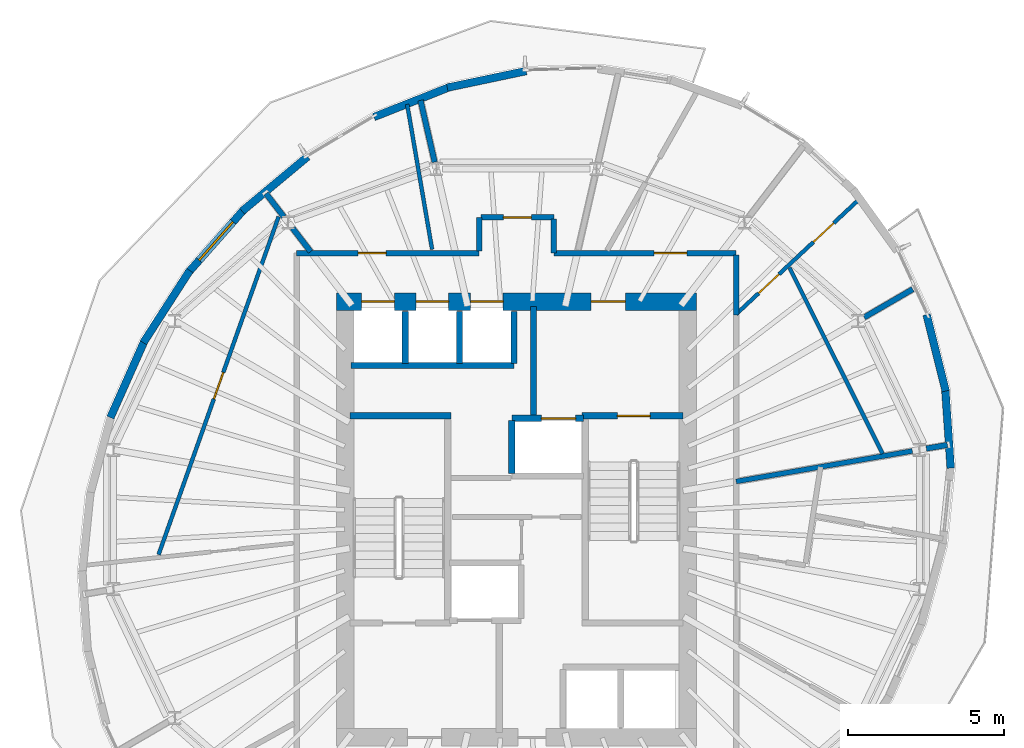
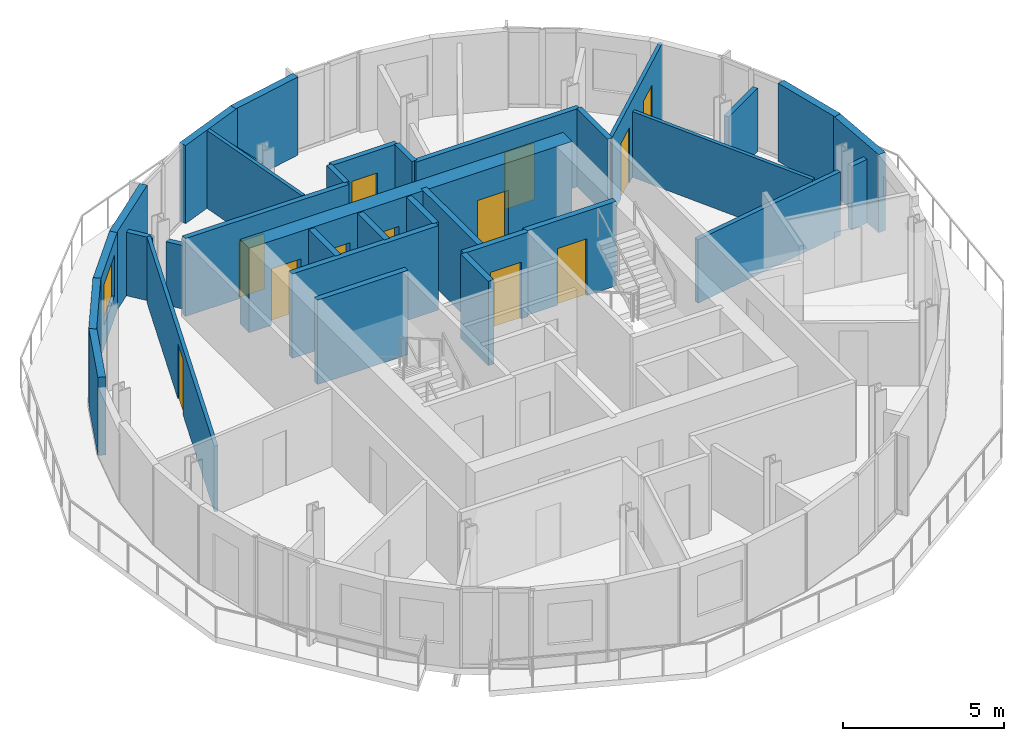
# One storey, part 6 of 11: 34 walls, 12 doors, 1 window, 13 openings.
"""IFC4 building model written with IfcOpenShell, lengths in metres."""

from ifc_helpers import new_model, si_unit, direction, frame, frame_2d, origin, place, context, subcontext, project, spatial, rectangle, extrude, material, layer, layer_set, type_object, element, fill, save


model = new_model("IFC4")

# Units and contexts
model_context = context("Model", 3, precision=1e-05, world=origin(), true_north=direction((0.0, 1.0)))
body_context = subcontext(model_context, "Body", "Model", "MODEL_VIEW")
ifc_project = project(units=[si_unit("LENGTHUNIT", "METRE"), si_unit("AREAUNIT", "SQUARE_METRE"), si_unit("VOLUMEUNIT", "CUBIC_METRE"), si_unit("PLANEANGLEUNIT", "RADIAN"), si_unit("MASSUNIT", "GRAM", prefix="KILO")], contexts=[model_context])

# Site, building, storey
site_placement = place(None, origin())
site = spatial("IfcSite", under=ifc_project, at=site_placement, CompositionType="ELEMENT")
building_placement = place(site_placement, origin())
building = spatial("IfcBuilding", under=site, at=building_placement, Name="Veldorim Arch Residences", CompositionType="ELEMENT")
storey_placement = place(building_placement, frame((0.0, 0.0, 217.43994140625)))
storey = spatial("IfcBuildingStorey", under=building, at=storey_placement, Name="L65", CompositionType="ELEMENT", Elevation=217.43994140625)

# Wall, openings, doors
ifc_material_1 = material(Name="Acoustic Gypsum Board", Category="gypsum")
ifc_layer_1 = layer(ifc_material_1, 0.125, Name="Acoustic Stud Room Partition Wall 125")
ifc_layer_set_1 = layer_set([ifc_layer_1], Name="Acoustic Gypsum Board")
wall_type_1 = type_object("IfcWallType", Name="Acoustic Stud Room Partition Wall 125", PredefinedType="PARTITIONING", material=ifc_layer_set_1)
wall_1_placement = place(storey_placement, frame((43.019775390625, 34.29443359375, 0.0), z_axis=(0.0, 0.0, 1.0), x_axis=(-0.730757039427, -0.682637641307, 0.0)))
wall_1 = element("IfcWall", 1, at=wall_1_placement, inside=storey, type_object=wall_type_1, Name="L65 interior wall WL-RES-L65-023", PredefinedType="PARTITIONING", context=body_context, shape_type="SweptSolid", body=[
    extrude(rectangle(XDim=5.418701171875, YDim=0.125, at=frame_2d((2.70947265625, 0.0))), origin(), (0.0, 0.0, 1.0), 2.955078125),
])
opening_1_placement = place(wall_1_placement, frame((1.1220703125, 0.0, 0.0)))
opening_1 = element("IfcOpeningElement", 2, at=opening_1_placement, cuts=wall_1, Name="Opening DR-INT", PredefinedType="OPENING", context=body_context, shape_type="SweptSolid", body=[
    extrude(rectangle(XDim=0.89990234375, YDim=2.10009765625, at=frame_2d((0.449951171875, 1.050048828125))), frame((0.0, 0.072509765625, 0.0), z_axis=(0.0, -1.0, 0.0), x_axis=(1.0, 0.0, 0.0)), (0.0, 0.0, 1.0), 0.14501953125),
])
opening_2_placement = place(wall_1_placement, frame((3.531005859375, 0.0, 0.0)))
opening_2 = element("IfcOpeningElement", 3, at=opening_2_placement, cuts=wall_1, Name="Opening DR-INT", PredefinedType="OPENING", context=body_context, shape_type="SweptSolid", body=[
    extrude(rectangle(XDim=0.89990234375, YDim=2.10009765625, at=frame_2d((0.449951171875, 1.050048828125))), frame((0.0, 0.072509765625, 0.0), z_axis=(0.0, -1.0, 0.0), x_axis=(1.0, 0.0, 0.0)), (0.0, 0.0, 1.0), 0.14501953125),
])
ifc_material_2 = material(Name="Engineered Timber", Category="wood")
door_type_1 = type_object("IfcDoorType", Name="Apartment Internal Room Timber Door 900x2100", OperationType="SINGLE_SWING_LEFT", PredefinedType="DOOR", material=ifc_material_2)
door_1_placement = place(opening_1_placement, origin())
door_1 = element("IfcDoor", 4, at=door_1_placement, inside=storey, type_object=door_type_1, Name="L65 interior door DR-RES-L65-009", OperationType="SINGLE_SWING_LEFT", OverallHeight=2.10009765625, OverallWidth=0.89990234375, PredefinedType="DOOR", context=body_context, shape_type="SweptSolid", body=[
    extrude(rectangle(XDim=0.89990234375, YDim=2.10009765625, at=frame_2d((0.449951171875, 1.050048828125))), frame((0.0, 0.02490234375, 0.0), z_axis=(0.0, -1.0, 0.0), x_axis=(1.0, 0.0, 0.0)), (0.0, 0.0, 1.0), 0.050048828125),
])
fill(opening_1, door_1)
door_2_placement = place(opening_2_placement, origin())
door_2 = element("IfcDoor", 5, at=door_2_placement, inside=storey, type_object=door_type_1, Name="L65 interior door DR-RES-L65-010", OperationType="SINGLE_SWING_RIGHT", OverallHeight=2.10009765625, OverallWidth=0.89990234375, PredefinedType="DOOR", context=body_context, shape_type="SweptSolid", body=[
    extrude(rectangle(XDim=0.89990234375, YDim=2.10009765625, at=frame_2d((0.449951171875, 1.050048828125))), frame((0.0, 0.02490234375, 0.0), z_axis=(0.0, -1.0, 0.0), x_axis=(1.0, 0.0, 0.0)), (0.0, 0.0, 1.0), 0.050048828125),
])
fill(opening_2, door_2)

# Walls
wall_2_placement = place(storey_placement, frame((43.76806640625, 26.113525390625, 0.0), z_axis=(0.0, 0.0, 1.0), x_axis=(-0.447958394428, 0.894054403748, 0.0)))
element("IfcWall", 6, at=wall_2_placement, inside=storey, type_object=wall_type_1, Name="L65 interior wall WL-RES-L65-025", PredefinedType="PARTITIONING", context=body_context, shape_type="SweptSolid", body=[
    extrude(rectangle(XDim=6.685546875, YDim=0.125, at=frame_2d((3.3427734375, 0.0))), origin(), (0.0, 0.0, 1.0), 2.488037109375),
])
wall_3_placement = place(storey_placement, frame((28.489501953125, 37.340576171875, 0.0), z_axis=(0.0, 0.0, 1.0), x_axis=(0.169376334169, -0.98555144839, 0.0)))
element("IfcWall", 7, at=wall_3_placement, inside=storey, type_object=wall_type_1, Name="L65 interior wall WL-RES-L65-026", PredefinedType="PARTITIONING", context=body_context, shape_type="SweptSolid", body=[
    extrude(rectangle(XDim=4.730712890625, YDim=0.125, at=frame_2d((2.365234375, 0.0))), origin(), (0.0, 0.0, 1.0), 2.955078125),
])

# Wall, opening, door
wall_4_placement = place(storey_placement, frame((20.501220703125, 22.86962890625, 0.0), z_axis=(0.0, 0.0, 1.0), x_axis=(0.334686593727, 0.942329498625, 0.0)))
wall_4 = element("IfcWall", 8, at=wall_4_placement, inside=storey, type_object=wall_type_1, Name="L65 interior wall WL-RES-L65-030", PredefinedType="PARTITIONING", context=body_context, shape_type="SweptSolid", body=[
    extrude(rectangle(XDim=11.524658203125, YDim=0.125, at=frame_2d((5.76220703125, 0.0))), origin(), (0.0, 0.0, 1.0), 2.488037109375),
])
opening_3_placement = place(wall_4_placement, frame((5.3125, 0.0, 0.0)))
opening_3 = element("IfcOpeningElement", 9, at=opening_3_placement, cuts=wall_4, Name="Opening DR-INT", PredefinedType="OPENING", context=body_context, shape_type="SweptSolid", body=[
    extrude(rectangle(XDim=0.89990234375, YDim=2.10009765625, at=frame_2d((0.449951171875, 1.050048828125))), frame((0.0, 0.072509765625, 0.0), z_axis=(0.0, -1.0, 0.0), x_axis=(1.0, 0.0, 0.0)), (0.0, 0.0, 1.0), 0.14501953125),
])
door_3_placement = place(opening_3_placement, origin())
door_3 = element("IfcDoor", 10, at=door_3_placement, inside=storey, type_object=door_type_1, Name="L65 interior door DR-RES-L65-016", OperationType="SINGLE_SWING_RIGHT", OverallHeight=2.10009765625, OverallWidth=0.89990234375, PredefinedType="DOOR", context=body_context, shape_type="SweptSolid", body=[
    extrude(rectangle(XDim=0.89990234375, YDim=2.10009765625, at=frame_2d((0.449951171875, 1.050048828125))), frame((0.0, 0.02490234375, 0.0), z_axis=(0.0, -1.0, 0.0), x_axis=(1.0, 0.0, 0.0)), (0.0, 0.0, 1.0), 0.050048828125),
])
fill(opening_3, door_3)

# Walls
ifc_material_3 = material(Name="Lightweight Masonry Block & Gypsum", Category="masonry")
ifc_layer_2 = layer(ifc_material_3, 0.179931640625, Name="Compartment & Corridor Fire-Rated Party Wall 180")
ifc_layer_set_2 = layer_set([ifc_layer_2], Name="Lightweight Masonry Block & Gypsum")
wall_type_2 = type_object("IfcWallType", Name="Compartment & Corridor Fire-Rated Party Wall 180", PredefinedType="PARTITIONING", material=ifc_layer_set_2)
wall_5_placement = place(storey_placement, frame((45.172607421875, 26.27880859375, 0.0), z_axis=(0.0, 0.0, 1.0), x_axis=(0.985357392461, 0.170501639647, 0.0)))
element("IfcWall", 11, at=wall_5_placement, inside=storey, type_object=wall_type_2, Name="L65 interior wall WL-PIER-L65-01", PredefinedType="PARTITIONING", context=body_context, shape_type="SweptSolid", body=[
    extrude(rectangle(XDim=0.687255859375, YDim=0.179931640625, at=frame_2d((0.34375, 0.0))), origin(), (0.0, 0.0, 1.0), 2.403564453125),
])
wall_6_placement = place(storey_placement, frame((43.173828125, 30.4931640625, 0.0), z_axis=(0.0, 0.0, 1.0), x_axis=(0.864637155841, 0.502396843879, 0.0)))
element("IfcWall", 12, at=wall_6_placement, inside=storey, type_object=wall_type_2, Name="L65 interior wall WL-PIER-L65-02", PredefinedType="PARTITIONING", context=body_context, shape_type="SweptSolid", body=[
    extrude(rectangle(XDim=1.802978515625, YDim=0.179931640625, at=frame_2d((0.9013671875, 0.0))), origin(), (0.0, 0.0, 1.0), 2.403564453125),
])
wall_7_placement = place(storey_placement, frame((29.37353515625, 35.483154296875, 0.0), z_axis=(0.0, 0.0, 1.0), x_axis=(-0.222932254148, 0.974833939736, 0.0)))
element("IfcWall", 13, at=wall_7_placement, inside=storey, type_object=wall_type_2, Name="L65 interior wall WL-PIER-L65-05", PredefinedType="PARTITIONING", context=body_context, shape_type="SweptSolid", body=[
    extrude(rectangle(XDim=2.035888671875, YDim=0.179931640625, at=frame_2d((1.01806640625, 0.0))), origin(), (0.0, 0.0, 1.0), 2.403564453125),
])
wall_8_placement = place(storey_placement, frame((24.526611328125, 33.727294921875, 0.0), z_axis=(0.0, 0.0, 1.0), x_axis=(-0.60903478373, 0.793143512995, 0.0)))
element("IfcWall", 14, at=wall_8_placement, inside=storey, type_object=wall_type_2, Name="L65 interior wall WL-PIER-L65-06", PredefinedType="PARTITIONING", context=body_context, shape_type="SweptSolid", body=[
    extrude(rectangle(XDim=0.94287109375, YDim=0.179931640625, at=frame_2d((0.471435546875, 0.0))), origin(), (0.0, 0.0, 1.0), 2.403564453125),
])

# Wall, opening, door
wall_9_placement = place(storey_placement, frame((33.199951171875, 32.56005859375, 0.0), z_axis=(0.0, 0.0, 1.0), x_axis=(1.0, 0.0, 0.0)))
wall_9 = element("IfcWall", 15, at=wall_9_placement, inside=storey, type_object=wall_type_2, Name="L65 interior wall WL-RES-L65-007", PredefinedType="PARTITIONING", context=body_context, shape_type="SweptSolid", body=[
    extrude(rectangle(XDim=5.860107421875, YDim=0.179931640625, at=frame_2d((2.93017578125, 0.0))), origin(), (0.0, 0.0, 1.0), 2.955078125),
])
opening_4_placement = place(wall_9_placement, frame((3.227294921875, 0.0, 0.0)))
opening_4 = element("IfcOpeningElement", 16, at=opening_4_placement, cuts=wall_9, Name="Opening DR-FLT", PredefinedType="OPENING", context=body_context, shape_type="SweptSolid", body=[
    extrude(rectangle(XDim=1.050048828125, YDim=2.14990234375, at=frame_2d((0.52490234375, 1.074951171875))), frame((0.0, 0.099853515625, 0.0), z_axis=(0.0, -1.0, 0.0), x_axis=(1.0, 0.0, 0.0)), (0.0, 0.0, 1.0), 0.199951171875),
])
ifc_material_4 = material(Name="Fire-Rated Timber", Category="wood")
door_type_2 = type_object("IfcDoorType", Name="Apartment Entrance Solid-Core Fire Door 1050x2150", OperationType="SINGLE_SWING_LEFT", PredefinedType="DOOR", material=ifc_material_4)
door_4_placement = place(opening_4_placement, origin())
door_4 = element("IfcDoor", 17, at=door_4_placement, inside=storey, type_object=door_type_2, Name="L65 interior door DR-RES-L65-007", OperationType="SINGLE_SWING_LEFT", OverallHeight=2.14990234375, OverallWidth=1.050048828125, PredefinedType="DOOR", context=body_context, shape_type="SweptSolid", body=[
    extrude(rectangle(XDim=1.050048828125, YDim=2.14990234375, at=frame_2d((0.52490234375, 1.074951171875))), frame((0.0, 0.02490234375, 0.0), z_axis=(0.0, -1.0, 0.0), x_axis=(1.0, 0.0, 0.0)), (0.0, 0.0, 1.0), 0.050048828125),
])
fill(opening_4, door_4)

# Wall
wall_10_placement = place(storey_placement, frame((39.06005859375, 32.5, 0.0), z_axis=(0.0, 0.0, 1.0), x_axis=(0.0, -1.0, 0.0)))
element("IfcWall", 18, at=wall_10_placement, inside=storey, type_object=wall_type_2, Name="L65 interior wall WL-RES-L65-008", PredefinedType="PARTITIONING", context=body_context, shape_type="SweptSolid", body=[
    extrude(rectangle(XDim=1.924560546875, YDim=0.179931640625, at=frame_2d((0.96240234375, 0.0))), origin(), (0.0, 0.0, 1.0), 2.955078125),
])

# Wall, opening, door
wall_11_placement = place(storey_placement, frame((24.93994140625, 32.56005859375, 0.0), z_axis=(0.0, 0.0, 1.0), x_axis=(1.0, 0.0, 0.0)))
wall_11 = element("IfcWall", 19, at=wall_11_placement, inside=storey, type_object=wall_type_2, Name="L65 interior wall WL-RES-L65-009", PredefinedType="PARTITIONING", context=body_context, shape_type="SweptSolid", body=[
    extrude(rectangle(XDim=5.860107421875, YDim=0.179931640625, at=frame_2d((2.93017578125, 0.0))), origin(), (0.0, 0.0, 1.0), 2.955078125),
])
opening_5_placement = place(wall_11_placement, frame((1.974609375, 0.0, 0.0)))
opening_5 = element("IfcOpeningElement", 20, at=opening_5_placement, cuts=wall_11, Name="Opening DR-SVC", PredefinedType="OPENING", context=body_context, shape_type="SweptSolid", body=[
    extrude(rectangle(XDim=0.89990234375, YDim=2.10009765625, at=frame_2d((0.449951171875, 1.050048828125))), frame((0.0, 0.099853515625, 0.0), z_axis=(0.0, -1.0, 0.0), x_axis=(1.0, 0.0, 0.0)), (0.0, 0.0, 1.0), 0.199951171875),
])
ifc_material_5 = material(Name="Fire-Rated Steel", Category="steel")
door_type_3 = type_object("IfcDoorType", Name="Riser, Shelter & Plant Room Rated Steel Door 900x2100", OperationType="SINGLE_SWING_LEFT", PredefinedType="DOOR", material=ifc_material_5)
door_5_placement = place(opening_5_placement, origin())
door_5 = element("IfcDoor", 21, at=door_5_placement, inside=storey, type_object=door_type_3, Name="L65 interior door DR-RES-L65-011", OperationType="SINGLE_SWING_LEFT", OverallHeight=2.10009765625, OverallWidth=0.89990234375, PredefinedType="DOOR", context=body_context, shape_type="SweptSolid", body=[
    extrude(rectangle(XDim=0.89990234375, YDim=2.10009765625, at=frame_2d((0.449951171875, 1.050048828125))), frame((0.0, 0.02490234375, 0.0), z_axis=(0.0, -1.0, 0.0), x_axis=(1.0, 0.0, 0.0)), (0.0, 0.0, 1.0), 0.050048828125),
])
fill(opening_5, door_5)

# Wall
wall_12_placement = place(storey_placement, frame((30.800048828125, 32.6201171875, 0.0), z_axis=(0.0, 0.0, 1.0), x_axis=(0.0, 1.0, 0.0)))
element("IfcWall", 22, at=wall_12_placement, inside=storey, type_object=wall_type_2, Name="L65 interior wall WL-RES-L65-010", PredefinedType="PARTITIONING", context=body_context, shape_type="SweptSolid", body=[
    extrude(rectangle(XDim=1.08984375, YDim=0.179931640625, at=frame_2d((0.544921875, 0.0))), origin(), (0.0, 0.0, 1.0), 2.955078125),
])

# Wall, opening, door
wall_13_placement = place(storey_placement, frame((30.860107421875, 33.7099609375, 0.0), z_axis=(0.0, 0.0, 1.0), x_axis=(1.0, 0.0, 0.0)))
wall_13 = element("IfcWall", 23, at=wall_13_placement, inside=storey, type_object=wall_type_2, Name="L65 interior wall WL-RES-L65-011", PredefinedType="PARTITIONING", context=body_context, shape_type="SweptSolid", body=[
    extrude(rectangle(XDim=2.33984375, YDim=0.179931640625, at=frame_2d((1.169921875, 0.0))), origin(), (0.0, 0.0, 1.0), 2.955078125),
])
opening_6_placement = place(wall_13_placement, frame((0.719970703125, 0.0, 0.0)))
opening_6 = element("IfcOpeningElement", 24, at=opening_6_placement, cuts=wall_13, Name="Opening DR-INT", PredefinedType="OPENING", context=body_context, shape_type="SweptSolid", body=[
    extrude(rectangle(XDim=0.89990234375, YDim=2.10009765625, at=frame_2d((0.449951171875, 1.050048828125))), frame((0.0, 0.099853515625, 0.0), z_axis=(0.0, -1.0, 0.0), x_axis=(1.0, 0.0, 0.0)), (0.0, 0.0, 1.0), 0.199951171875),
])
door_6_placement = place(opening_6_placement, origin())
door_6 = element("IfcDoor", 25, at=door_6_placement, inside=storey, type_object=door_type_1, Name="L65 interior door DR-RES-L65-012", OperationType="SINGLE_SWING_RIGHT", OverallHeight=2.10009765625, OverallWidth=0.89990234375, PredefinedType="DOOR", context=body_context, shape_type="SweptSolid", body=[
    extrude(rectangle(XDim=0.89990234375, YDim=2.10009765625, at=frame_2d((0.449951171875, 1.050048828125))), frame((0.0, 0.02490234375, 0.0), z_axis=(0.0, -1.0, 0.0), x_axis=(1.0, 0.0, 0.0)), (0.0, 0.0, 1.0), 0.050048828125),
])
fill(opening_6, door_6)

# Walls
wall_14_placement = place(storey_placement, frame((33.199951171875, 33.64990234375, 0.0), z_axis=(0.0, 0.0, 1.0), x_axis=(0.0, -1.0, 0.0)))
element("IfcWall", 26, at=wall_14_placement, inside=storey, type_object=wall_type_2, Name="L65 interior wall WL-RES-L65-012", PredefinedType="PARTITIONING", context=body_context, shape_type="SweptSolid", body=[
    extrude(rectangle(XDim=1.08984375, YDim=0.179931640625, at=frame_2d((0.544921875, 0.0))), origin(), (0.0, 0.0, 1.0), 2.955078125),
])
wall_15_placement = place(storey_placement, frame((25.386962890625, 32.607666015625, 0.0), z_axis=(0.0, 0.0, 1.0), x_axis=(-0.609302225724, 0.792938079378, 0.0)))
element("IfcWall", 27, at=wall_15_placement, inside=storey, type_object=wall_type_2, Name="L65 interior wall WL-RES-L65-027", PredefinedType="PARTITIONING", context=body_context, shape_type="SweptSolid", body=[
    extrude(rectangle(XDim=0.953125, YDim=0.179931640625, at=frame_2d((0.4765625, 0.0))), origin(), (0.0, 0.0, 1.0), 2.403564453125),
])
ifc_material_6 = material(Name="Concrete C50/60", Category="concrete")
ifc_layer_3 = layer(ifc_material_6, 0.199951171875, Name="Core Stair & Lift Shaft Enclosure Wall 200")
ifc_layer_set_3 = layer_set([ifc_layer_3], Name="Concrete C50/60")
wall_type_3 = type_object("IfcWallType", Name="Core Stair & Lift Shaft Enclosure Wall 200", PredefinedType="SHEAR", material=ifc_layer_set_3)
wall_16_placement = place(storey_placement, frame((26.64990234375, 27.330078125, 0.0), z_axis=(0.0, 0.0, 1.0), x_axis=(1.0, 0.0, 0.0)))
element("IfcWall", 28, at=wall_16_placement, inside=storey, type_object=wall_type_3, Name="L65 shaft wall WL-SHF-L65-ST1-N", PredefinedType="SHEAR", context=body_context, shape_type="SweptSolid", body=[
    extrude(rectangle(XDim=3.239990234375, YDim=0.199951171875, at=frame_2d((1.6201171875, 0.0))), origin(), (0.0, 0.0, 1.0), 3.199951171875),
])

# Wall, opening, door
wall_17_placement = place(storey_placement, frame((34.110107421875, 27.330078125, 0.0), z_axis=(0.0, 0.0, 1.0), x_axis=(1.0, 0.0, 0.0)))
wall_17 = element("IfcWall", 29, at=wall_17_placement, inside=storey, type_object=wall_type_3, Name="L65 shaft wall WL-SHF-L65-ST2-N", PredefinedType="SHEAR", context=body_context, shape_type="SweptSolid", body=[
    extrude(rectangle(XDim=3.239990234375, YDim=0.199951171875, at=frame_2d((1.6201171875, 0.0))), origin(), (0.0, 0.0, 1.0), 3.199951171875),
])
opening_7_placement = place(wall_17_placement, frame((1.135009765625, 0.0, 0.0)))
opening_7 = element("IfcOpeningElement", 30, at=opening_7_placement, cuts=wall_17, Name="Opening DR-ST", PredefinedType="OPENING", context=body_context, shape_type="SweptSolid", body=[
    extrude(rectangle(XDim=1.050048828125, YDim=2.14990234375, at=frame_2d((0.52490234375, 1.074951171875))), frame((0.0, 0.10986328125, 0.0), z_axis=(0.0, -1.0, 0.0), x_axis=(1.0, 0.0, 0.0)), (0.0, 0.0, 1.0), 0.219970703125),
])
ifc_material_7 = material(Name="Fire-Rated Steel", Category="steel")
door_type_4 = type_object("IfcDoorType", Name="Exit Staircase Self-Closing Fire Door 1050x2150", OperationType="SINGLE_SWING_LEFT", PredefinedType="DOOR", material=ifc_material_7)
door_7_placement = place(opening_7_placement, origin())
door_7 = element("IfcDoor", 31, at=door_7_placement, inside=storey, type_object=door_type_4, Name="L65 interior door DR-L65-ST2", OperationType="SINGLE_SWING_RIGHT", OverallHeight=2.14990234375, OverallWidth=1.050048828125, PredefinedType="DOOR", context=body_context, shape_type="SweptSolid", body=[
    extrude(rectangle(XDim=1.050048828125, YDim=2.14990234375, at=frame_2d((0.52490234375, 1.074951171875))), frame((0.0, 0.02490234375, 0.0), z_axis=(0.0, -1.0, 0.0), x_axis=(1.0, 0.0, 0.0)), (0.0, 0.0, 1.0), 0.050048828125),
])
fill(opening_7, door_7)

# Wall
wall_18_placement = place(storey_placement, frame((32.550048828125, 27.35009765625, 0.0), z_axis=(0.0, 0.0, 1.0), x_axis=(0.0, 1.0, 0.0)))
element("IfcWall", 32, at=wall_18_placement, inside=storey, type_object=wall_type_3, Name="L65 shaft wall WL-FFL2-L65-W", PredefinedType="SHEAR", context=body_context, shape_type="SweptSolid", body=[
    extrude(rectangle(XDim=3.5, YDim=0.199951171875, at=frame_2d((1.75, 0.0))), origin(), (0.0, 0.0, 1.0), 3.199951171875),
])

# Wall, opening, door
wall_19_placement = place(storey_placement, frame((31.85009765625, 27.25, 0.0), z_axis=(0.0, 0.0, 1.0), x_axis=(1.0, 0.0, 0.0)))
wall_19 = element("IfcWall", 33, at=wall_19_placement, inside=storey, type_object=wall_type_3, Name="L65 shaft wall WL-FL02-L65-N", PredefinedType="SHEAR", context=body_context, shape_type="SweptSolid", body=[
    extrude(rectangle(XDim=2.2998046875, YDim=0.199951171875, at=frame_2d((1.14990234375, 0.0))), origin(), (0.0, 0.0, 1.0), 3.199951171875),
])
opening_8_placement = place(wall_19_placement, frame((0.949951171875, 0.0, 0.0)))
opening_8 = element("IfcOpeningElement", 34, at=opening_8_placement, cuts=wall_19, Name="Opening LD-FF", PredefinedType="OPENING", context=body_context, shape_type="SweptSolid", body=[
    extrude(rectangle(XDim=1.10009765625, YDim=2.14990234375, at=frame_2d((0.550048828125, 1.074951171875))), frame((0.0, 0.10986328125, 0.0), z_axis=(0.0, -1.0, 0.0), x_axis=(1.0, 0.0, 0.0)), (0.0, 0.0, 1.0), 0.219970703125),
])
ifc_material_8 = material(Name="Stainless Steel", Category="steel")
door_type_5 = type_object("IfcDoorType", Name="Firefighting Lift Bi-Parting Sliding Landing Door 1100x2150", OperationType="DOUBLE_DOOR_SLIDING", PredefinedType="DOOR", material=ifc_material_8)
door_8_placement = place(opening_8_placement, origin())
door_8 = element("IfcDoor", 35, at=door_8_placement, inside=storey, type_object=door_type_5, Name="L65 lift landing door LD-L65-FL02", OperationType="DOUBLE_DOOR_SLIDING", OverallHeight=2.14990234375, OverallWidth=1.10009765625, PredefinedType="DOOR", context=body_context, shape_type="SweptSolid", body=[
    extrude(rectangle(XDim=1.10009765625, YDim=2.14990234375, at=frame_2d((0.550048828125, 1.074951171875))), frame((0.0, 0.02490234375, 0.0), z_axis=(0.0, -1.0, 0.0), x_axis=(1.0, 0.0, 0.0)), (0.0, 0.0, 1.0), 0.050048828125),
])
fill(opening_8, door_8)

# Walls
wall_20_placement = place(storey_placement, frame((31.85009765625, 25.469970703125, 0.0), z_axis=(0.0, 0.0, 1.0), x_axis=(0.0, 1.0, 0.0)))
element("IfcWall", 36, at=wall_20_placement, inside=storey, type_object=wall_type_3, Name="L65 shaft wall WL-FL02-L65-W", PredefinedType="SHEAR", context=body_context, shape_type="SweptSolid", body=[
    extrude(rectangle(XDim=1.7099609375, YDim=0.199951171875, at=frame_2d((0.85498046875, 0.0))), origin(), (0.0, 0.0, 1.0), 3.199951171875),
])
wall_21_placement = place(storey_placement, frame((26.679931640625, 28.949951171875, 0.0), z_axis=(0.0, 0.0, 1.0), x_axis=(1.0, 0.0, 0.0)))
element("IfcWall", 37, at=wall_21_placement, inside=storey, type_object=wall_type_3, Name="L65 shaft wall WL-B3-L65-S", PredefinedType="SHEAR", context=body_context, shape_type="SweptSolid", body=[
    extrude(rectangle(XDim=5.239990234375, YDim=0.199951171875, at=frame_2d((2.6201171875, 0.0))), origin(), (0.0, 0.0, 1.0), 3.199951171875),
])
for number, where, z_axis, x_axis, name in (
    (38, (31.919921875, 29.02001953125, 0.0), (0.0, 0.0, 1.0), (0.0, 1.0, 0.0), "L65 shaft wall WL-B3-L65-E"),
    (39, (28.425048828125, 29.02001953125, 0.0), (0.0, 0.0, 1.0), (0.0, 1.0, 0.0), "L65 shaft wall WL-B3-L65-D1"),
    (40, (30.175048828125, 29.02001953125, 0.0), (0.0, 0.0, 1.0), (0.0, 1.0, 0.0), "L65 shaft wall WL-B3-L65-D2"),
):
    element("IfcWall", number, at=place(storey_placement, frame(where, z_axis=z_axis, x_axis=x_axis)), inside=storey, type_object=wall_type_3, Name=name, PredefinedType="SHEAR", context=body_context, shape_type="SweptSolid", body=[
        extrude(rectangle(XDim=1.659912109375, YDim=0.199951171875, at=frame_2d((0.830078125, 0.0))), origin(), (0.0, 0.0, 1.0), 3.199951171875),
    ])
ifc_material_9 = material(Name="Precast concrete C40/50", Category="concrete")
ifc_layer_4 = layer(ifc_material_9, 0.25, Name="Tower Terracotta Spandrel & Pier Wall 250")
ifc_layer_set_4 = layer_set([ifc_layer_4], Name="Precast concrete C40/50")
wall_type_4 = type_object("IfcWallType", Name="Tower Terracotta Spandrel & Pier Wall 250", PredefinedType="SOLIDWALL", material=ifc_layer_set_4)
wall_22_placement = place(storey_placement, frame((29.77880859375, 37.876708984375, 0.0), z_axis=(0.0, 0.0, 1.0), x_axis=(0.978434707222, 0.206556345104, 0.0)))
element("IfcWall", 41, at=wall_22_placement, inside=storey, type_object=wall_type_4, Name="L65 terracotta facade wall 05", PredefinedType="SOLIDWALL", context=body_context, shape_type="SweptSolid", body=[
    extrude(rectangle(XDim=2.592041015625, YDim=0.25, at=frame_2d((1.2958984375, 0.0))), origin(), (0.0, 0.0, 1.0), 2.9599609375),
])
wall_23_placement = place(storey_placement, frame((27.419677734375, 36.933349609375, 0.0), z_axis=(0.0, 0.0, 1.0), x_axis=(0.929861098324, 0.36791077427, 0.0)))
element("IfcWall", 42, at=wall_23_placement, inside=storey, type_object=wall_type_4, Name="L65 terracotta facade wall 06", PredefinedType="SOLIDWALL", context=body_context, shape_type="SweptSolid", body=[
    extrude(rectangle(XDim=2.651123046875, YDim=0.25, at=frame_2d((1.32568359375, 0.0))), origin(), (0.0, 0.0, 1.0), 2.9599609375),
])
wall_24_placement = place(storey_placement, frame((23.184326171875, 33.906494140625, 0.0), z_axis=(0.0, 0.0, 1.0), x_axis=(0.76821397209, 0.640193168571, 0.0)))
element("IfcWall", 43, at=wall_24_placement, inside=storey, type_object=wall_type_4, Name="L65 terracotta facade wall 08", PredefinedType="SOLIDWALL", context=body_context, shape_type="SweptSolid", body=[
    extrude(rectangle(XDim=2.738525390625, YDim=0.25, at=frame_2d((1.369140625, 0.0))), origin(), (0.0, 0.0, 1.0), 2.9599609375),
])

# Wall, opening, window
wall_25_placement = place(storey_placement, frame((21.437255859375, 31.91455078125, 0.0), z_axis=(0.0, 0.0, 1.0), x_axis=(0.661694827408, 0.749773269317, 0.0)))
wall_25 = element("IfcWall", 44, at=wall_25_placement, inside=storey, type_object=wall_type_4, Name="L65 terracotta facade wall 09", PredefinedType="SOLIDWALL", context=body_context, shape_type="SweptSolid", body=[
    extrude(rectangle(XDim=2.758056640625, YDim=0.25, at=frame_2d((1.37890625, 0.0))), origin(), (0.0, 0.0, 1.0), 2.9599609375),
])
opening_9_placement = place(wall_25_placement, frame((0.553955078125, 0.0, 0.85009765625)))
opening_9 = element("IfcOpeningElement", 45, at=opening_9_placement, cuts=wall_25, Name="Opening WN-03", PredefinedType="OPENING", context=body_context, shape_type="SweptSolid", body=[
    extrude(rectangle(XDim=1.64990234375, YDim=1.550048828125, at=frame_2d((0.824951171875, 0.77490234375))), frame((0.0, 0.135009765625, 0.0), z_axis=(0.0, -1.0, 0.0), x_axis=(1.0, 0.0, 0.0)), (0.0, 0.0, 1.0), 0.27001953125),
])
ifc_material_10 = material(Name="Laminated Low-E Glass", Category="glass")
window_type = type_object("IfcWindowType", Name="Residential Wide Window 1650x1550", PartitioningType="SINGLE_PANEL", PredefinedType="WINDOW", material=ifc_material_10)
window_placement = place(opening_9_placement, origin())
window = element("IfcWindow", 46, at=window_placement, inside=storey, type_object=window_type, Name="L65 solar-control facade window 09", OverallHeight=1.550048828125, OverallWidth=1.64990234375, PartitioningType="SINGLE_PANEL", PredefinedType="WINDOW", context=body_context, shape_type="SweptSolid", body=[
    extrude(rectangle(XDim=1.64990234375, YDim=1.550048828125, at=frame_2d((0.824951171875, 0.77490234375))), frame((0.0, 0.030029296875, 0.0), z_axis=(0.0, -1.0, 0.0), x_axis=(1.0, 0.0, 0.0)), (0.0, 0.0, 1.0), 0.06005859375),
])
fill(opening_9, window)

# Walls
wall_26_placement = place(storey_placement, frame((20.01171875, 29.68115234375, 0.0), z_axis=(0.0, 0.0, 1.0), x_axis=(0.540690479286, 0.841221615039, 0.0)))
element("IfcWall", 47, at=wall_26_placement, inside=storey, type_object=wall_type_4, Name="L65 terracotta facade wall 10", PredefinedType="SOLIDWALL", context=body_context, shape_type="SweptSolid", body=[
    extrude(rectangle(XDim=2.758056640625, YDim=0.25, at=frame_2d((1.37890625, 0.0))), origin(), (0.0, 0.0, 1.0), 2.9599609375),
])
wall_27_placement = place(storey_placement, frame((18.950927734375, 27.2744140625, 0.0), z_axis=(0.0, 0.0, 1.0), x_axis=(0.40624599189, 0.913763751783, 0.0)))
element("IfcWall", 48, at=wall_27_placement, inside=storey, type_object=wall_type_4, Name="L65 terracotta facade wall 11", PredefinedType="SOLIDWALL", context=body_context, shape_type="SweptSolid", body=[
    extrude(rectangle(XDim=2.738525390625, YDim=0.25, at=frame_2d((1.369140625, 0.0))), origin(), (0.0, 0.0, 1.0), 2.9599609375),
])
wall_28_placement = place(storey_placement, frame((45.77880859375, 28.23681640625, 0.0), z_axis=(0.0, 0.0, 1.0), x_axis=(0.068469168344, -0.997653232835, 0.0)))
element("IfcWall", 49, at=wall_28_placement, inside=storey, type_object=wall_type_4, Name="L65 terracotta facade wall 32", PredefinedType="SOLIDWALL", context=body_context, shape_type="SweptSolid", body=[
    extrude(rectangle(XDim=2.59228515625, YDim=0.25, at=frame_2d((1.296142578125, 0.0))), origin(), (0.0, 0.0, 1.0), 2.9599609375),
])
wall_29_placement = place(storey_placement, frame((45.180419921875, 30.58251953125, 0.0), z_axis=(0.0, 0.0, 1.0), x_axis=(0.243170809566, -0.969983483042, 0.0)))
element("IfcWall", 50, at=wall_29_placement, inside=storey, type_object=wall_type_4, Name="L65 terracotta facade wall 33", PredefinedType="SOLIDWALL", context=body_context, shape_type="SweptSolid", body=[
    extrude(rectangle(XDim=2.531982421875, YDim=0.25, at=frame_2d((1.26611328125, 0.0))), origin(), (0.0, 0.0, 1.0), 2.9599609375),
])

# Wall, openings, doors
ifc_material_11 = material(Name="Concrete C50/60", Category="concrete")
ifc_layer_5 = layer(ifc_material_11, 0.5, Name="Upper Central Core Shear Wall 560")
ifc_layer_set_5 = layer_set([ifc_layer_5], Name="Concrete C50/60")
wall_type_5 = type_object("IfcWallType", Name="Upper Central Core Shear Wall 560", PredefinedType="SHEAR", material=ifc_layer_set_5)
wall_30_placement = place(storey_placement, frame((26.219970703125, 31.0, 0.0), z_axis=(0.0, 0.0, 1.0), x_axis=(1.0, 0.0, 0.0)))
wall_30 = element("IfcWall", 51, at=wall_30_placement, inside=storey, type_object=wall_type_5, Name="L65 central core north shear wall", PredefinedType="SHEAR", context=body_context, shape_type="SweptSolid", body=[
    extrude(rectangle(XDim=11.56005859375, YDim=0.56005859375, at=frame_2d((5.780029296875, 0.0))), origin(), (0.0, 0.0, 1.0), 3.199951171875),
])
opening_10_placement = place(wall_30_placement, frame((8.179931640625, 0.0, 0.0)))
opening_10 = element("IfcOpeningElement", 52, at=opening_10_placement, cuts=wall_30, Name="Opening DR-FFL", PredefinedType="OPENING", context=body_context, shape_type="SweptSolid", body=[
    extrude(rectangle(XDim=1.10009765625, YDim=2.14990234375, at=frame_2d((0.550048828125, 1.074951171875))), frame((0.0, 0.2900390625, 0.0), z_axis=(0.0, -1.0, 0.0), x_axis=(1.0, 0.0, 0.0)), (0.0, 0.0, 1.0), 0.580078125),
])
opening_11_placement = place(wall_30_placement, frame((0.804931640625, 0.0, 0.0)))
opening_11 = element("IfcOpeningElement", 53, at=opening_11_placement, cuts=wall_30, Name="Opening LD-PS", PredefinedType="OPENING", context=body_context, shape_type="SweptSolid", body=[
    extrude(rectangle(XDim=1.050048828125, YDim=2.14990234375, at=frame_2d((0.52490234375, 1.074951171875))), frame((0.0, 0.2900390625, 0.0), z_axis=(0.0, -1.0, 0.0), x_axis=(1.0, 0.0, 0.0)), (0.0, 0.0, 1.0), 0.580078125),
])
opening_12_placement = place(wall_30_placement, frame((2.554931640625, 0.0, 0.0)))
opening_12 = element("IfcOpeningElement", 54, at=opening_12_placement, cuts=wall_30, Name="Opening LD-PS", PredefinedType="OPENING", context=body_context, shape_type="SweptSolid", body=[
    extrude(rectangle(XDim=1.050048828125, YDim=2.14990234375, at=frame_2d((0.52490234375, 1.074951171875))), frame((0.0, 0.2900390625, 0.0), z_axis=(0.0, -1.0, 0.0), x_axis=(1.0, 0.0, 0.0)), (0.0, 0.0, 1.0), 0.580078125),
])
opening_13_placement = place(wall_30_placement, frame((4.304931640625, 0.0, 0.0)))
opening_13 = element("IfcOpeningElement", 55, at=opening_13_placement, cuts=wall_30, Name="Opening LD-PS", PredefinedType="OPENING", context=body_context, shape_type="SweptSolid", body=[
    extrude(rectangle(XDim=1.050048828125, YDim=2.14990234375, at=frame_2d((0.52490234375, 1.074951171875))), frame((0.0, 0.2900390625, 0.0), z_axis=(0.0, -1.0, 0.0), x_axis=(1.0, 0.0, 0.0)), (0.0, 0.0, 1.0), 0.580078125),
])
ifc_material_12 = material(Name="Fire-Rated Steel & Vision Glass", Category="steel")
door_type_6 = type_object("IfcDoorType", Name="Firefighting Lobby Smoke-Stop Fire Door 1100x2150", OperationType="SINGLE_SWING_LEFT", PredefinedType="DOOR", material=ifc_material_12)
door_9_placement = place(opening_10_placement, origin())
door_9 = element("IfcDoor", 56, at=door_9_placement, inside=storey, type_object=door_type_6, Name="L65 interior door DR-L65-FFL2", OperationType="SINGLE_SWING_LEFT", OverallHeight=2.14990234375, OverallWidth=1.10009765625, PredefinedType="DOOR", context=body_context, shape_type="SweptSolid", body=[
    extrude(rectangle(XDim=1.10009765625, YDim=2.14990234375, at=frame_2d((0.550048828125, 1.074951171875))), frame((0.0, 0.02490234375, 0.0), z_axis=(0.0, -1.0, 0.0), x_axis=(1.0, 0.0, 0.0)), (0.0, 0.0, 1.0), 0.050048828125),
])
fill(opening_10, door_9)
ifc_material_13 = material(Name="Stainless Steel", Category="steel")
door_type_7 = type_object("IfcDoorType", Name="Passenger Lift Bi-Parting Sliding Landing Door 1050x2150", OperationType="DOUBLE_DOOR_SLIDING", PredefinedType="DOOR", material=ifc_material_13)
door_10_placement = place(opening_11_placement, origin())
door_10 = element("IfcDoor", 57, at=door_10_placement, inside=storey, type_object=door_type_7, Name="L65 lift landing door LD-L65-PL-08", OperationType="DOUBLE_DOOR_SLIDING", OverallHeight=2.14990234375, OverallWidth=1.050048828125, PredefinedType="DOOR", context=body_context, shape_type="SweptSolid", body=[
    extrude(rectangle(XDim=1.050048828125, YDim=2.14990234375, at=frame_2d((0.52490234375, 1.074951171875))), frame((0.0, 0.02490234375, 0.0), z_axis=(0.0, -1.0, 0.0), x_axis=(1.0, 0.0, 0.0)), (0.0, 0.0, 1.0), 0.050048828125),
])
fill(opening_11, door_10)
door_11_placement = place(opening_12_placement, origin())
door_11 = element("IfcDoor", 58, at=door_11_placement, inside=storey, type_object=door_type_7, Name="L65 lift landing door LD-L65-PL-09", OperationType="DOUBLE_DOOR_SLIDING", OverallHeight=2.14990234375, OverallWidth=1.050048828125, PredefinedType="DOOR", context=body_context, shape_type="SweptSolid", body=[
    extrude(rectangle(XDim=1.050048828125, YDim=2.14990234375, at=frame_2d((0.52490234375, 1.074951171875))), frame((0.0, 0.02490234375, 0.0), z_axis=(0.0, -1.0, 0.0), x_axis=(1.0, 0.0, 0.0)), (0.0, 0.0, 1.0), 0.050048828125),
])
fill(opening_12, door_11)
door_12_placement = place(opening_13_placement, origin())
door_12 = element("IfcDoor", 59, at=door_12_placement, inside=storey, type_object=door_type_7, Name="L65 lift landing door LD-L65-PL-10", OperationType="DOUBLE_DOOR_SLIDING", OverallHeight=2.14990234375, OverallWidth=1.050048828125, PredefinedType="DOOR", context=body_context, shape_type="SweptSolid", body=[
    extrude(rectangle(XDim=1.050048828125, YDim=2.14990234375, at=frame_2d((0.52490234375, 1.074951171875))), frame((0.0, 0.02490234375, 0.0), z_axis=(0.0, -1.0, 0.0), x_axis=(1.0, 0.0, 0.0)), (0.0, 0.0, 1.0), 0.050048828125),
])
fill(opening_13, door_12)

# Wall
ifc_material_14 = material(Name="Moisture-Resistant Gypsum & Stud", Category="gypsum")
ifc_layer_6 = layer(ifc_material_14, 0.159912109375, Name="Wet-Area Moisture-Resistant Plumbing Wall 160")
ifc_layer_set_6 = layer_set([ifc_layer_6], Name="Moisture-Resistant Gypsum & Stud")
wall_type_6 = type_object("IfcWallType", Name="Wet-Area Moisture-Resistant Plumbing Wall 160", PredefinedType="PLUMBINGWALL", material=ifc_layer_set_6)
wall_31_placement = place(storey_placement, frame((39.059814453125, 25.2216796875, 0.0), z_axis=(0.0, 0.0, 1.0), x_axis=(0.985376851804, 0.170389142636, 0.0)))
element("IfcWall", 60, at=wall_31_placement, inside=storey, type_object=wall_type_6, Name="L65 interior wall WL-RES-L65-021", PredefinedType="PLUMBINGWALL", context=body_context, shape_type="SweptSolid", body=[
    extrude(rectangle(XDim=5.7470703125, YDim=0.159912109375, at=frame_2d((2.87353515625, 0.0))), origin(), (0.0, 0.0, 1.0), 2.403564453125),
])

save(model, "model.ifc")
